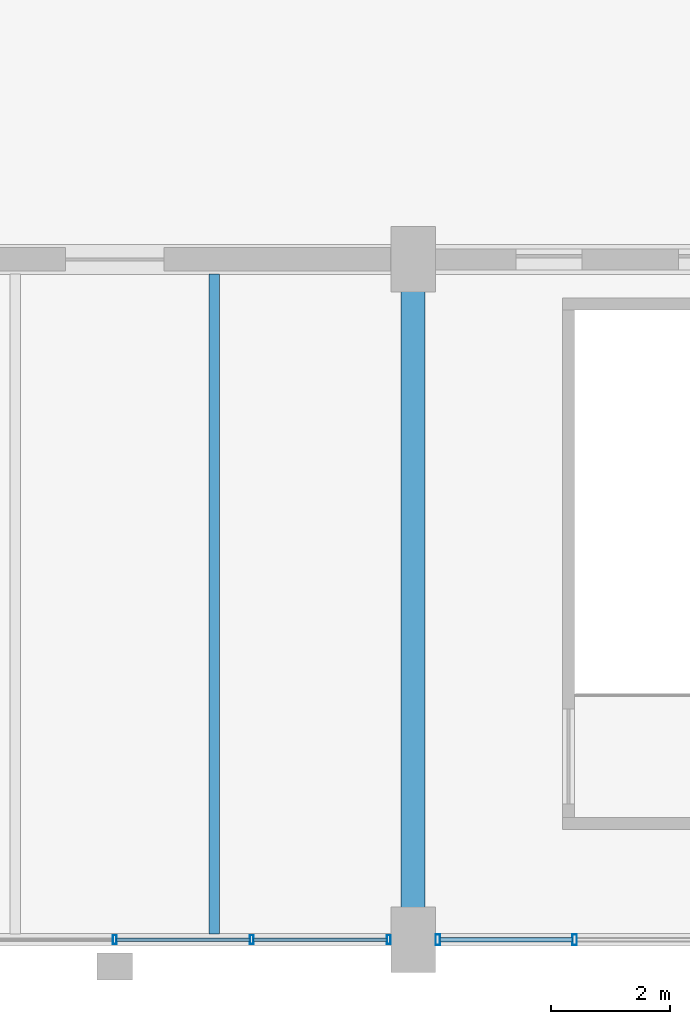
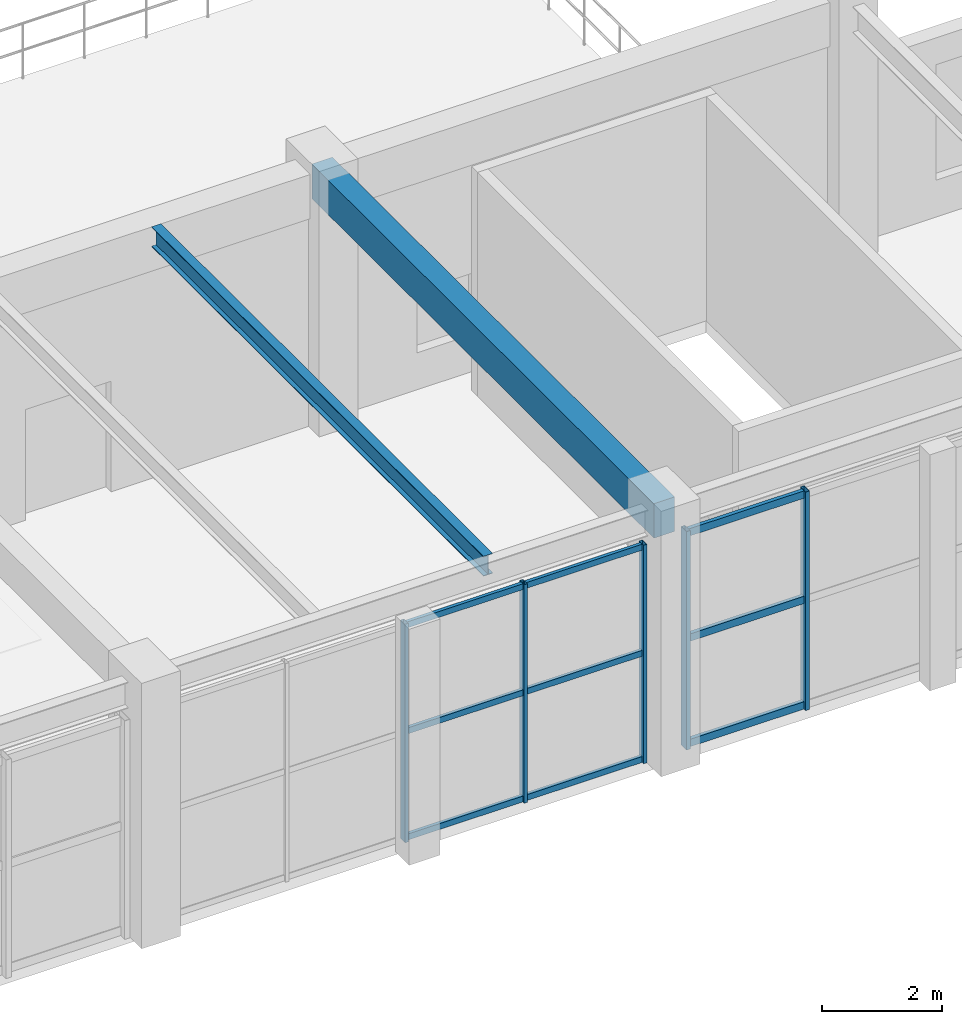
# One storey, part 31 of 106: 14 members, 2 beams, 2 elements without a shape of their own.
"""IFC4 building model written with IfcOpenShell, lengths in metres."""

from ifc_helpers import new_model, si_unit, direction, frame, origin, origin_2d, place, context, subcontext, project, spatial, rectangle, hollow_rectangle, i_section, extrude, material, layer, layer_set, material_profile, profile_set, type_object, element, aggregate, save


model = new_model("IFC4")

# Units and contexts
model_context = context("Model", 3, precision=1e-05, world=origin(), true_north=direction((0.0, 1.0)))
body_context = subcontext(model_context, "Body", "Model", "MODEL_VIEW")
ifc_project = project(units=[si_unit("LENGTHUNIT", "METRE"), si_unit("AREAUNIT", "SQUARE_METRE"), si_unit("VOLUMEUNIT", "CUBIC_METRE"), si_unit("PLANEANGLEUNIT", "RADIAN"), si_unit("MASSUNIT", "GRAM", prefix="KILO"), si_unit("POWERUNIT", "WATT"), si_unit("THERMODYNAMICTEMPERATUREUNIT", "KELVIN")], contexts=[model_context])

# Site, building, storey
site_placement = place(None, origin())
site = spatial("IfcSite", under=ifc_project, at=site_placement, CompositionType="ELEMENT")
building_placement = place(site_placement, origin())
building = spatial("IfcBuilding", under=site, at=building_placement, Name="Kelmbourne Parkland Aquatics Centre", CompositionType="ELEMENT")
storey_placement = place(building_placement, frame((0.0, 0.0, 5.39990234375)))
storey = spatial("IfcBuildingStorey", under=building, at=storey_placement, Name="L01", CompositionType="ELEMENT", Elevation=5.39990234375)

# Beams
ifc_material_1 = material(Name="Concrete C40/50", Category="concrete")
ifc_material_profile_1 = material_profile(ifc_material_1, rectangle(XDim=0.39990234375, YDim=0.699951171875, at=origin_2d()), Name="RC 400x700")
ifc_profile_set_1 = profile_set([ifc_material_profile_1], Name="Concrete C40/50")
beam_type_1 = type_object("IfcBeamType", Name="BM-G05", PredefinedType="BEAM", material=ifc_profile_set_1)
beam_1_placement = place(storey_placement, frame((86.0, 0.800048828125, 4.81005859375), z_axis=(0.0, 1.0, 0.0), x_axis=(-1.0, 0.0, 0.0)))
element("IfcBeam", 1, at=beam_1_placement, inside=storey, type_object=beam_type_1, Name="Primary girder 01-03 Grid K (L02_FOY)", PredefinedType="BEAM", context=body_context, shape_type="SweptSolid", body=[
    extrude(rectangle(XDim=0.39990234375, YDim=0.699951171875, at=origin_2d()), origin(), (0.0, 0.0, 1.0), 11.39990234375),
])
ifc_material_2 = material(Name="Structural steel AS/NZS 3679.1 Grade 300", Category="steel")
ifc_material_profile_2 = material_profile(ifc_material_2, i_section(OverallWidth=0.177978515625, OverallDepth=0.406005859375, WebThickness=0.0078125, FlangeThickness=0.0126953125, at=origin_2d()), Name="410UB59.7")
ifc_profile_set_2 = profile_set([ifc_material_profile_2], Name="Structural steel AS/NZS 3679.1 Grade 300")
beam_type_2 = type_object("IfcBeamType", Name="BM-J01", PredefinedType="JOIST", material=ifc_profile_set_2)
beam_2_placement = place(storey_placement, frame((82.666748046875, 0.896484375, 4.95703125), z_axis=(0.0, 1.0, 0.0), x_axis=(-1.0, 0.0, 0.0)))
element("IfcBeam", 2, at=beam_2_placement, inside=storey, type_object=beam_type_2, Name="Secondary floor joist J-K/01-03 #2 (L02_FOY)", PredefinedType="JOIST", context=body_context, shape_type="SweptSolid", body=[
    extrude(i_section(OverallWidth=0.177978515625, OverallDepth=0.406005859375, WebThickness=0.0078125, FlangeThickness=0.0126953125, at=origin_2d()), origin(), (0.0, 0.0, 1.0), 11.0615234375),
])

# Curtain wall, members
ifc_material_3 = material(Name="Thermally broken anodised aluminium framing", Category="aluminium")
ifc_layer_1 = layer(ifc_material_3, 0.179931640625)
ifc_layer_set_1 = layer_set([ifc_layer_1], Name="Thermally broken anodised aluminium framing")
curtain_wall_type_1 = type_object("IfcCurtainWallType", Name="CW-21", PredefinedType="NOTDEFINED", material=ifc_layer_set_1)
curtain_wall_1_placement = place(storey_placement, origin())
curtain_wall_1 = element("IfcCurtainWall", 3, at=curtain_wall_1_placement, inside=storey, type_object=curtain_wall_type_1, Name="Facade curtain wall CW-L01-165", PredefinedType="NOTDEFINED")
ifc_material_profile_3 = material_profile(ifc_material_3, hollow_rectangle(XDim=0.06494140625, YDim=0.14990234375, WallThickness=0.00390625, at=origin_2d()), Name="CW-M 65x150")
ifc_profile_set_3 = profile_set([ifc_material_profile_3], Name="Thermally broken anodised aluminium framing")
member_type_1 = type_object("IfcMemberType", Name="MB-MUL-1", PredefinedType="MULLION", material=ifc_profile_set_3)
member_1_placement = place(storey_placement, frame((81.0, 0.800048828125, 0.0), z_axis=(0.0, 0.0, 1.0), x_axis=(1.0, 0.0, 0.0)))
member_1 = element("IfcMember", 4, at=member_1_placement, type_object=member_type_1, Name="CW-L01-165 mullion 2", PredefinedType="MULLION", context=body_context, shape_type="SweptSolid", body=[
    extrude(hollow_rectangle(XDim=0.06494140625, YDim=0.14990234375, WallThickness=0.00390625, at=origin_2d()), origin(), (0.0, 0.0, 1.0), 4.445068359375),
])
member_2_placement = place(storey_placement, frame((83.29541015625, 0.800048828125, 0.0), z_axis=(0.0, 0.0, 1.0), x_axis=(1.0, 0.0, 0.0)))
member_2 = element("IfcMember", 5, at=member_2_placement, type_object=member_type_1, Name="CW-L01-165 mullion 3", PredefinedType="MULLION", context=body_context, shape_type="SweptSolid", body=[
    extrude(hollow_rectangle(XDim=0.06494140625, YDim=0.14990234375, WallThickness=0.00390625, at=origin_2d()), origin(), (0.0, 0.0, 1.0), 4.445068359375),
])
member_3_placement = place(storey_placement, frame((85.590576171875, 0.800048828125, 0.0), z_axis=(0.0, 0.0, 1.0), x_axis=(1.0, 0.0, 0.0)))
member_3 = element("IfcMember", 6, at=member_3_placement, type_object=member_type_1, Name="CW-L01-165 mullion 4", PredefinedType="MULLION", context=body_context, shape_type="SweptSolid", body=[
    extrude(hollow_rectangle(XDim=0.06494140625, YDim=0.14990234375, WallThickness=0.00390625, at=origin_2d()), origin(), (0.0, 0.0, 1.0), 4.445068359375),
])

ifc_layer_2 = layer(ifc_material_3, 0.179931640625)
ifc_layer_set_2 = layer_set([ifc_layer_2], Name="Thermally broken anodised aluminium framing")
curtain_wall_type_2 = type_object("IfcCurtainWallType", Name="CW-22", PredefinedType="NOTDEFINED", material=ifc_layer_set_2)
curtain_wall_2_placement = place(storey_placement, origin())
curtain_wall_2 = element("IfcCurtainWall", 7, at=curtain_wall_2_placement, inside=storey, type_object=curtain_wall_type_2, Name="Facade curtain wall CW-L01-166", PredefinedType="NOTDEFINED")
ifc_material_profile_4 = material_profile(ifc_material_3, hollow_rectangle(XDim=0.074951171875, YDim=0.179931640625, WallThickness=0.00439453125, at=origin_2d()), Name="CW-M 75x180")
ifc_profile_set_4 = profile_set([ifc_material_profile_4], Name="Thermally broken anodised aluminium framing")
member_type_2 = type_object("IfcMemberType", Name="MB-MUL-2", PredefinedType="MULLION", material=ifc_profile_set_4)
member_4_placement = place(storey_placement, frame((86.41455078125, 0.800048828125, 0.0), z_axis=(0.0, 0.0, 1.0), x_axis=(1.0, 0.0, 0.0)))
member_4 = element("IfcMember", 8, at=member_4_placement, type_object=member_type_2, Name="CW-L01-166 mullion 0", PredefinedType="MULLION", context=body_context, shape_type="SweptSolid", body=[
    extrude(hollow_rectangle(XDim=0.074951171875, YDim=0.179931640625, WallThickness=0.00439453125, at=origin_2d()), origin(), (0.0, 0.0, 1.0), 4.445068359375),
])
member_5_placement = place(storey_placement, frame((88.707275390625, 0.800048828125, 0.0), z_axis=(0.0, 0.0, 1.0), x_axis=(1.0, 0.0, 0.0)))
member_5 = element("IfcMember", 9, at=member_5_placement, type_object=member_type_2, Name="CW-L01-166 mullion 1", PredefinedType="MULLION", context=body_context, shape_type="SweptSolid", body=[
    extrude(hollow_rectangle(XDim=0.074951171875, YDim=0.179931640625, WallThickness=0.00439453125, at=origin_2d()), origin(), (0.0, 0.0, 1.0), 4.445068359375),
])

# Member
ifc_material_profile_5 = material_profile(ifc_material_3, hollow_rectangle(XDim=0.06494140625, YDim=0.1201171875, WallThickness=0.00341796875, at=origin_2d()), Name="CW-T 65x120")
ifc_profile_set_5 = profile_set([ifc_material_profile_5], Name="Thermally broken anodised aluminium framing")
member_type_3 = type_object("IfcMemberType", Name="MB-TRN-1", PredefinedType="USERDEFINED", material=ifc_profile_set_5)
member_6_placement = place(storey_placement, frame((81.028564453125, 0.800048828125, 0.06298828125), z_axis=(1.0, 0.0, 0.0), x_axis=(0.0, 1.0, 0.0)))
member_6 = element("IfcMember", 10, at=member_6_placement, type_object=member_type_3, Name="CW-L01-165 transom 0-2", ObjectType="TRANSOM", PredefinedType="USERDEFINED", context=body_context, shape_type="SweptSolid", body=[
    extrude(hollow_rectangle(XDim=0.06494140625, YDim=0.1201171875, WallThickness=0.00341796875, at=origin_2d()), origin(), (0.0, 0.0, 1.0), 2.23828125),
])

member_7_placement = place(storey_placement, frame((83.32373046875, 0.800048828125, 0.06298828125), z_axis=(1.0, 0.0, 0.0), x_axis=(0.0, 1.0, 0.0)))
member_7 = element("IfcMember", 11, at=member_7_placement, type_object=member_type_3, Name="CW-L01-165 transom 0-3", ObjectType="TRANSOM", PredefinedType="USERDEFINED", context=body_context, shape_type="SweptSolid", body=[
    extrude(hollow_rectangle(XDim=0.06494140625, YDim=0.1201171875, WallThickness=0.00341796875, at=origin_2d()), origin(), (0.0, 0.0, 1.0), 2.23828125),
])

member_8_placement = place(storey_placement, frame((81.028564453125, 0.800048828125, 2.22265625), z_axis=(1.0, 0.0, 0.0), x_axis=(0.0, 1.0, 0.0)))
member_8 = element("IfcMember", 12, at=member_8_placement, type_object=member_type_3, Name="CW-L01-165 transom 1-2", ObjectType="TRANSOM", PredefinedType="USERDEFINED", context=body_context, shape_type="SweptSolid", body=[
    extrude(hollow_rectangle(XDim=0.06494140625, YDim=0.1201171875, WallThickness=0.00341796875, at=origin_2d()), origin(), (0.0, 0.0, 1.0), 2.23828125),
])

member_9_placement = place(storey_placement, frame((83.32373046875, 0.800048828125, 2.22265625), z_axis=(1.0, 0.0, 0.0), x_axis=(0.0, 1.0, 0.0)))
member_9 = element("IfcMember", 13, at=member_9_placement, type_object=member_type_3, Name="CW-L01-165 transom 1-3", ObjectType="TRANSOM", PredefinedType="USERDEFINED", context=body_context, shape_type="SweptSolid", body=[
    extrude(hollow_rectangle(XDim=0.06494140625, YDim=0.1201171875, WallThickness=0.00341796875, at=origin_2d()), origin(), (0.0, 0.0, 1.0), 2.23828125),
])

member_10_placement = place(storey_placement, frame((81.028564453125, 0.800048828125, 4.382080078125), z_axis=(1.0, 0.0, 0.0), x_axis=(0.0, 1.0, 0.0)))
member_10 = element("IfcMember", 14, at=member_10_placement, type_object=member_type_3, Name="CW-L01-165 transom 2-2", ObjectType="TRANSOM", PredefinedType="USERDEFINED", context=body_context, shape_type="SweptSolid", body=[
    extrude(hollow_rectangle(XDim=0.06494140625, YDim=0.1201171875, WallThickness=0.00341796875, at=origin_2d()), origin(), (0.0, 0.0, 1.0), 2.23828125),
])

member_11_placement = place(storey_placement, frame((83.32373046875, 0.800048828125, 4.382080078125), z_axis=(1.0, 0.0, 0.0), x_axis=(0.0, 1.0, 0.0)))
member_11 = element("IfcMember", 15, at=member_11_placement, type_object=member_type_3, Name="CW-L01-165 transom 2-3", ObjectType="TRANSOM", PredefinedType="USERDEFINED", context=body_context, shape_type="SweptSolid", body=[
    extrude(hollow_rectangle(XDim=0.06494140625, YDim=0.1201171875, WallThickness=0.00341796875, at=origin_2d()), origin(), (0.0, 0.0, 1.0), 2.23828125),
])

aggregate(curtain_wall_1, [member_1, member_2, member_3, member_6, member_7, member_8, member_9, member_10, member_11])

ifc_material_profile_6 = material_profile(ifc_material_3, hollow_rectangle(XDim=0.074951171875, YDim=0.14990234375, WallThickness=0.00390625, at=origin_2d()), Name="CW-T 75x150")
ifc_profile_set_6 = profile_set([ifc_material_profile_6], Name="Thermally broken anodised aluminium framing")
member_type_4 = type_object("IfcMemberType", Name="MB-TRN-2", PredefinedType="USERDEFINED", material=ifc_profile_set_6)
member_12_placement = place(storey_placement, frame((86.447998046875, 0.800048828125, 0.078125), z_axis=(1.0, 0.0, 0.0), x_axis=(0.0, 1.0, 0.0)))
member_12 = element("IfcMember", 16, at=member_12_placement, type_object=member_type_4, Name="CW-L01-166 transom 0-0", ObjectType="TRANSOM", PredefinedType="USERDEFINED", context=body_context, shape_type="SweptSolid", body=[
    extrude(hollow_rectangle(XDim=0.074951171875, YDim=0.14990234375, WallThickness=0.00390625, at=origin_2d()), origin(), (0.0, 0.0, 1.0), 2.225830078125),
])

member_13_placement = place(storey_placement, frame((86.447998046875, 0.800048828125, 2.22265625), z_axis=(1.0, 0.0, 0.0), x_axis=(0.0, 1.0, 0.0)))
member_13 = element("IfcMember", 17, at=member_13_placement, type_object=member_type_4, Name="CW-L01-166 transom 1-0", ObjectType="TRANSOM", PredefinedType="USERDEFINED", context=body_context, shape_type="SweptSolid", body=[
    extrude(hollow_rectangle(XDim=0.074951171875, YDim=0.14990234375, WallThickness=0.00390625, at=origin_2d()), origin(), (0.0, 0.0, 1.0), 2.225830078125),
])

member_14_placement = place(storey_placement, frame((86.447998046875, 0.800048828125, 4.3671875), z_axis=(1.0, 0.0, 0.0), x_axis=(0.0, 1.0, 0.0)))
member_14 = element("IfcMember", 18, at=member_14_placement, type_object=member_type_4, Name="CW-L01-166 transom 2-0", ObjectType="TRANSOM", PredefinedType="USERDEFINED", context=body_context, shape_type="SweptSolid", body=[
    extrude(hollow_rectangle(XDim=0.074951171875, YDim=0.14990234375, WallThickness=0.00390625, at=origin_2d()), origin(), (0.0, 0.0, 1.0), 2.225830078125),
])

aggregate(curtain_wall_2, [member_4, member_5, member_12, member_13, member_14])

save(model, "model.ifc")
